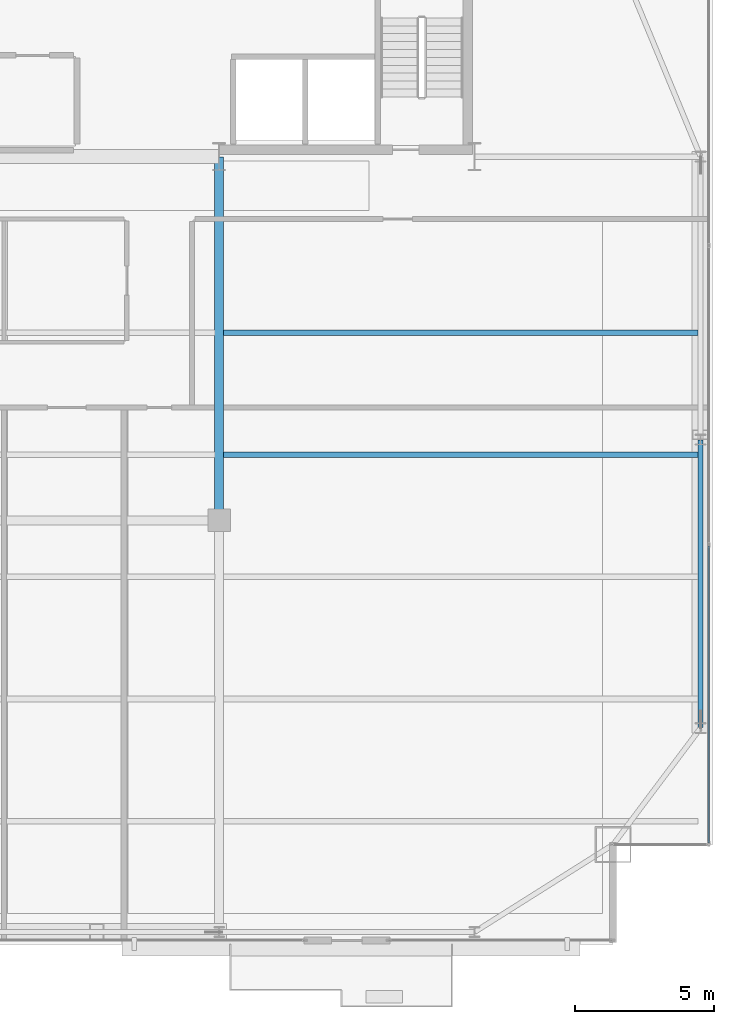
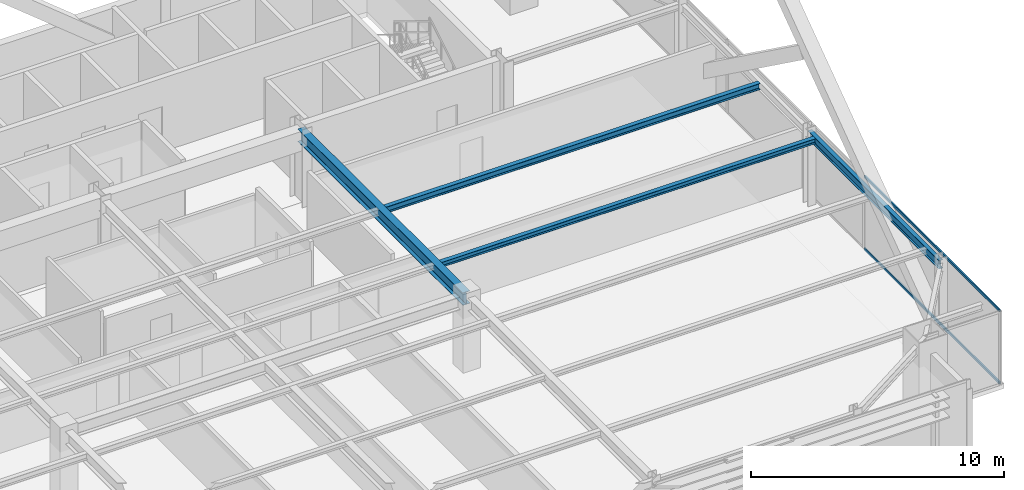
# One storey, part 17 of 34: 4 beams, 2 members, 1 element without a shape of its own.
"""IFC4 building model written with IfcOpenShell, lengths in metres."""

from ifc_helpers import new_model, si_unit, direction, frame, origin, origin_2d, place, context, subcontext, project, spatial, hollow_rectangle, i_section, extrude, source, transform, mapped, material, layer, layer_set, material_profile, profile_set, type_object, type_shapes, element, aggregate, save


model = new_model("IFC4")

# Units and contexts
model_context = context("Model", 3, precision=1e-05, world=origin(), true_north=direction((0.0, 1.0)))
body_context = subcontext(model_context, "Body", "Model", "MODEL_VIEW")
ifc_project = project(units=[si_unit("LENGTHUNIT", "METRE"), si_unit("AREAUNIT", "SQUARE_METRE"), si_unit("VOLUMEUNIT", "CUBIC_METRE"), si_unit("PLANEANGLEUNIT", "RADIAN"), si_unit("MASSUNIT", "GRAM", prefix="KILO")], contexts=[model_context])

# Site, building, storey
site_placement = place(None, origin())
site = spatial("IfcSite", under=ifc_project, at=site_placement, CompositionType="ELEMENT")
building_placement = place(site_placement, origin())
building = spatial("IfcBuilding", under=site, at=building_placement, Name="Varnel Quay Broadcast Tower", CompositionType="ELEMENT")
storey_placement = place(building_placement, frame((0.0, 0.0, 161.0)))
storey = spatial("IfcBuildingStorey", under=building, at=storey_placement, Name="L39", CompositionType="ELEMENT", Elevation=161.0)

# Beams
ifc_material_1 = material(Name="Structural Steel CSA G40.21 350W", Category="steel")
ifc_material_profile_1 = material_profile(ifc_material_1, i_section(OverallWidth=0.180908203125, OverallDepth=0.4169921875, WebThickness=0.010986328125, FlangeThickness=0.018310546875, FilletRadius=0.011962890625, at=origin_2d()), Name="W410X85")
ifc_profile_set_1 = profile_set([ifc_material_profile_1], Name="Structural Steel CSA G40.21 350W")
beam_type_1 = type_object("IfcBeamType", Name="Beam_W410X85", PredefinedType="SPANDREL", material=ifc_profile_set_1)
shared_shape_1 = source(origin(), body_context, "Body", "SweptSolid", [
    extrude(i_section(OverallWidth=0.180908203125, OverallDepth=0.4169921875, WebThickness=0.010986328125, FlangeThickness=0.018310546875, FilletRadius=0.011962890625, at=origin_2d()), origin(), (0.0, 0.0, 1.0), 10.35986328125),
])
type_shapes(beam_type_1, [shared_shape_1])
beam_1_placement = place(storey_placement, frame((60.550048828125, 15.02001953125, 3.341552734375), z_axis=(0.0, 1.0, 0.0), x_axis=(-1.0, 0.0, 0.0)))
element("IfcBeam", 1, at=beam_1_placement, inside=storey, type_object=beam_type_1, Name="L39 East Spandrel TC-E1-TC-E2", PredefinedType="SPANDREL", context=body_context, shape_type="MappedRepresentation", body=[
    mapped(shared_shape_1, transform((0.0, 0.0, 0.0), x_axis=(1.0, 0.0, 0.0), y_axis=(0.0, 1.0, 0.0), z_axis=(0.0, 0.0, 1.0), scale=1.0)),
])
ifc_material_profile_2 = material_profile(ifc_material_1, i_section(OverallWidth=0.324951171875, OverallDepth=0.615966796875, WebThickness=0.013916015625, FlangeThickness=0.021484375, FilletRadius=0.01611328125, at=origin_2d()), Name="W610X174")
ifc_profile_set_2 = profile_set([ifc_material_profile_2], Name="Structural Steel CSA G40.21 350W")
beam_type_2 = type_object("IfcBeamType", Name="Girder_W610X174", PredefinedType="BEAM", material=ifc_profile_set_2)
shared_shape_2 = source(origin(), body_context, "Body", "SweptSolid", [
    extrude(i_section(OverallWidth=0.324951171875, OverallDepth=0.615966796875, WebThickness=0.013916015625, FlangeThickness=0.021484375, FilletRadius=0.01611328125, at=origin_2d()), origin(), (0.0, 0.0, 1.0), 13.070068359375),
])
type_shapes(beam_type_2, [shared_shape_2])
beam_2_placement = place(storey_placement, frame((43.199951171875, 22.510009765625, 3.241943359375), z_axis=(0.0, 1.0, 0.0), x_axis=(-1.0, 0.0, 0.0)))
element("IfcBeam", 2, at=beam_2_placement, inside=storey, type_object=beam_type_2, Name="L39 Primary Girder IC-02-CC-S4", PredefinedType="BEAM", context=body_context, shape_type="MappedRepresentation", body=[
    mapped(shared_shape_2, transform((0.0, 0.0, 0.0), x_axis=(1.0, 0.0, 0.0), y_axis=(0.0, 1.0, 0.0), z_axis=(0.0, 0.0, 1.0), scale=1.0)),
])
ifc_material_profile_3 = material_profile(ifc_material_1, i_section(OverallWidth=0.202880859375, OverallDepth=0.302978515625, WebThickness=0.007568359375, FlangeThickness=0.01318359375, FilletRadius=0.011962890625, at=origin_2d()), Name="W310X60")
ifc_profile_set_3 = profile_set([ifc_material_profile_3], Name="Structural Steel CSA G40.21 350W")
beam_type_3 = type_object("IfcBeamType", Name="Beam_W310X60", PredefinedType="JOIST", material=ifc_profile_set_3)
shared_shape_3 = source(origin(), body_context, "Body", "SweptSolid", [
    extrude(i_section(OverallWidth=0.202880859375, OverallDepth=0.302978515625, WebThickness=0.007568359375, FlangeThickness=0.01318359375, FilletRadius=0.011962890625, at=origin_2d()), origin(), (0.0, 0.0, 1.0), 17.107177734375),
])
type_shapes(beam_type_3, [shared_shape_3])
beam_3_placement = place(storey_placement, frame((43.357421875, 29.25, 3.3984375), z_axis=(1.0, 0.0, 0.0), x_axis=(0.0, 1.0, 0.0)))
element("IfcBeam", 3, at=beam_3_placement, inside=storey, type_object=beam_type_3, Name="L39 East Floor Joist 5", PredefinedType="JOIST", context=body_context, shape_type="MappedRepresentation", body=[
    mapped(shared_shape_3, transform((0.0, 0.0, 0.0), x_axis=(1.0, 0.0, 0.0), y_axis=(0.0, 1.0, 0.0), z_axis=(0.0, 0.0, 1.0), scale=1.0)),
])
ifc_material_profile_4 = material_profile(ifc_material_1, i_section(OverallWidth=0.201904296875, OverallDepth=0.2470703125, WebThickness=0.00732421875, FlangeThickness=0.010986328125, FilletRadius=0.010986328125, at=origin_2d()), Name="W250X49")
ifc_profile_set_4 = profile_set([ifc_material_profile_4], Name="Structural Steel CSA G40.21 350W")
beam_type_4 = type_object("IfcBeamType", Name="Beam_W250X49", PredefinedType="JOIST", material=ifc_profile_set_4)
shared_shape_4 = source(origin(), body_context, "Body", "SweptSolid", [
    extrude(i_section(OverallWidth=0.201904296875, OverallDepth=0.2470703125, WebThickness=0.00732421875, FlangeThickness=0.010986328125, FilletRadius=0.010986328125, at=origin_2d()), origin(), (0.0, 0.0, 1.0), 17.107177734375),
])
type_shapes(beam_type_4, [shared_shape_4])
beam_4_placement = place(storey_placement, frame((43.357421875, 24.85009765625, 3.426513671875), z_axis=(1.0, 0.0, 0.0), x_axis=(0.0, 1.0, 0.0)))
element("IfcBeam", 4, at=beam_4_placement, inside=storey, type_object=beam_type_4, Name="L39 East Floor Joist 4", PredefinedType="JOIST", context=body_context, shape_type="MappedRepresentation", body=[
    mapped(shared_shape_4, transform((0.0, 0.0, 0.0), x_axis=(1.0, 0.0, 0.0), y_axis=(0.0, 1.0, 0.0), z_axis=(0.0, 0.0, 1.0), scale=1.0)),
])

# Curtain wall, members
ifc_material_2 = material(Name="Anodised Bronze Aluminium 6063-T6", Category="aluminium")
ifc_layer = layer(ifc_material_2, 0.18994140625, Name="Anodised Bronze Aluminium 6063-T6")
ifc_layer_set = layer_set([ifc_layer], Name="Anodised Bronze Aluminium 6063-T6")
curtain_wall_type = type_object("IfcCurtainWallType", Name="CW_UpperTower", PredefinedType="NOTDEFINED", material=ifc_layer_set)
curtain_wall_placement = place(storey_placement, origin())
curtain_wall = element("IfcCurtainWall", 5, at=curtain_wall_placement, inside=storey, type_object=curtain_wall_type, Name="L39 East Unitised Curtain Wall", PredefinedType="NOTDEFINED")
ifc_material_profile_5 = material_profile(ifc_material_2, hollow_rectangle(XDim=0.06005859375, YDim=0.125, WallThickness=0.0029296875, at=origin_2d()), Name="ALU60X125X3")
ifc_profile_set_5 = profile_set([ifc_material_profile_5], Name="Anodised Bronze Aluminium 6063-T6")
member_type = type_object("IfcMemberType", Name="Tran_CWS-03", PredefinedType="USERDEFINED", material=ifc_profile_set_5)
shared_shape_5 = source(origin(), body_context, "Body", "SweptSolid", [
    extrude(hollow_rectangle(XDim=0.06005859375, YDim=0.125, WallThickness=0.0029296875, at=origin_2d()), origin(), (0.0, 0.0, 1.0), 10.702392578125),
])
type_shapes(member_type, [shared_shape_5])
member_1_placement = place(storey_placement, frame((60.85009765625, 10.864990234375, 0.030029296875), z_axis=(0.0, 1.0, 0.0), x_axis=(-1.0, 0.0, 0.0)))
member_1 = element("IfcMember", 6, at=member_1_placement, type_object=member_type, Name="CWS-03 transom 1.1", ObjectType="TRANSOM", PredefinedType="USERDEFINED", context=body_context, shape_type="MappedRepresentation", body=[
    mapped(shared_shape_5, transform((0.0, 0.0, 0.0), x_axis=(1.0, 0.0, 0.0), y_axis=(0.0, 1.0, 0.0), z_axis=(0.0, 0.0, 1.0), scale=1.0)),
])
member_2_placement = place(storey_placement, frame((60.85009765625, 10.864990234375, 3.52001953125), z_axis=(0.0, 1.0, 0.0), x_axis=(-1.0, 0.0, 0.0)))
member_2 = element("IfcMember", 7, at=member_2_placement, type_object=member_type, Name="CWS-03 transom 1.2", ObjectType="TRANSOM", PredefinedType="USERDEFINED", context=body_context, shape_type="MappedRepresentation", body=[
    mapped(shared_shape_5, transform((0.0, 0.0, 0.0), x_axis=(1.0, 0.0, 0.0), y_axis=(0.0, 1.0, 0.0), z_axis=(0.0, 0.0, 1.0), scale=1.0)),
])
aggregate(curtain_wall, [member_1, member_2])

save(model, "model.ifc")
